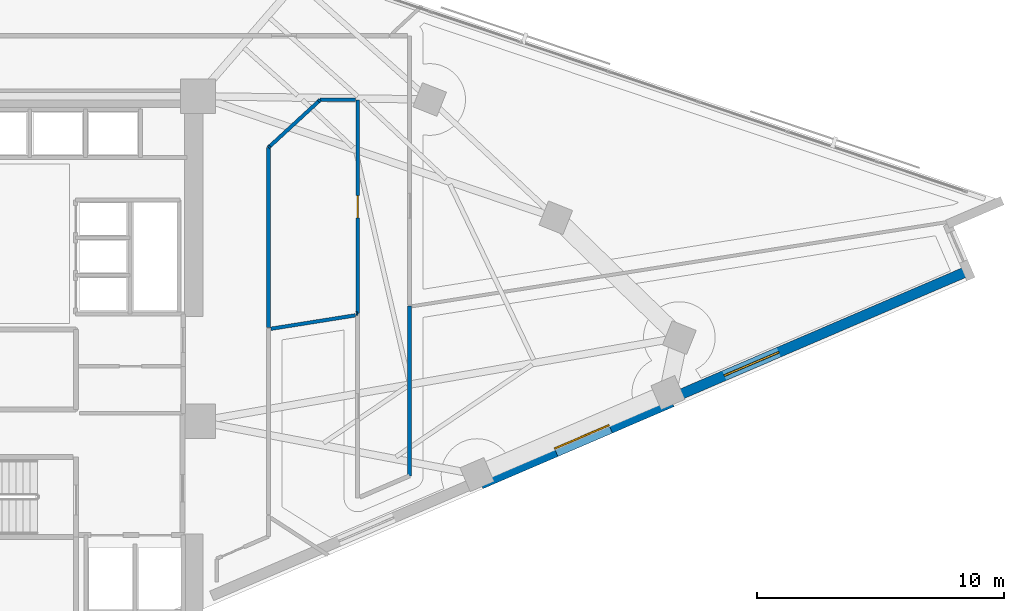
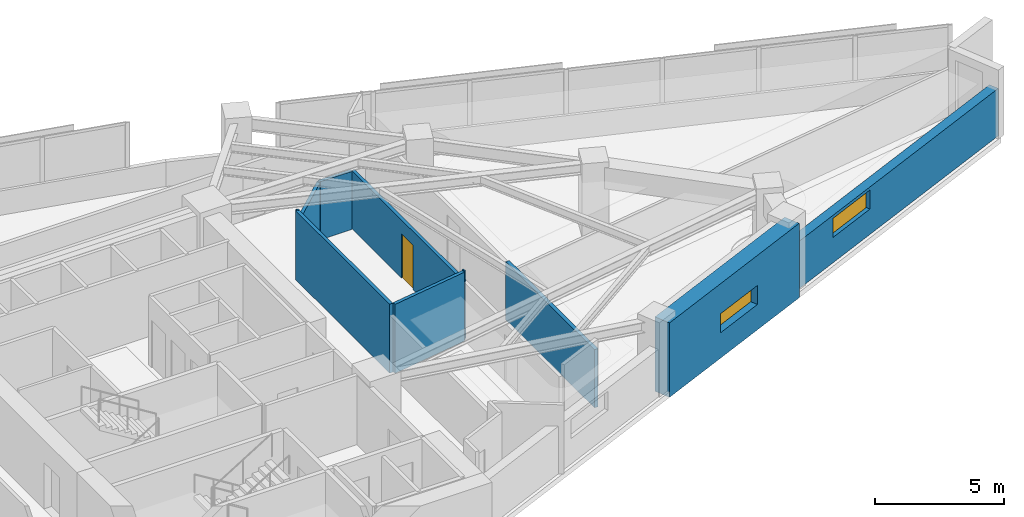
# One storey, part 11 of 14: 11 walls, 2 windows, 1 door, 3 openings.
"""IFC4 building model written with IfcOpenShell, lengths in metres."""

from ifc_helpers import new_model, si_unit, direction, frame, frame_2d, origin, place, context, subcontext, project, spatial, rectangle, extrude, material, layer, layer_set, type_object, element, fill, save


model = new_model("IFC4")

# Units and contexts
model_context = context("Model", 3, precision=1e-05, world=origin(), true_north=direction((0.0, 1.0)))
body_context = subcontext(model_context, "Body", "Model", "MODEL_VIEW")
ifc_project = project(units=[si_unit("LENGTHUNIT", "METRE"), si_unit("AREAUNIT", "SQUARE_METRE"), si_unit("VOLUMEUNIT", "CUBIC_METRE"), si_unit("PLANEANGLEUNIT", "RADIAN"), si_unit("MASSUNIT", "GRAM", prefix="KILO")], contexts=[model_context])

# Site, building, storey
site_placement = place(None, origin())
site = spatial("IfcSite", under=ifc_project, at=site_placement, CompositionType="ELEMENT")
building_placement = place(site_placement, origin())
building = spatial("IfcBuilding", under=site, at=building_placement, Name="Narakoshi Arena Tower", CompositionType="ELEMENT")
storey_placement = place(building_placement, frame((0.0, 0.0, 179.10009765625)))
storey = spatial("IfcBuildingStorey", under=building, at=storey_placement, Name="L48", CompositionType="ELEMENT", Elevation=179.10009765625)

# Wall
ifc_material_1 = material(Name="Gypsum plasterboard fire-rated partition")
ifc_layer_1 = layer(ifc_material_1, 0.1650390625)
ifc_layer_set_1 = layer_set([ifc_layer_1], Name="Gypsum plasterboard fire-rated partition")
wall_type_1 = type_object("IfcWallType", Name="WL-CORR-165", PredefinedType="PARTITIONING", material=ifc_layer_set_1)
wall_1_placement = place(storey_placement, frame((94.10498046875, 41.150390625, 0.0), z_axis=(0.0, 0.0, 1.0), x_axis=(0.0, 1.0, 0.0)))
element("IfcWall", 1, at=wall_1_placement, inside=storey, type_object=wall_type_1, Name="L48 Corridor Partition 03-3", PredefinedType="PARTITIONING", context=body_context, shape_type="SweptSolid", body=[
    extrude(rectangle(XDim=6.875244140625, YDim=0.1650390625, at=frame_2d((3.4375, 0.0))), origin(), (0.0, 0.0, 1.0), 2.744873046875),
])

# Wall, opening, window
ifc_material_2 = material(Name="Concrete C60/75", Category="concrete")
ifc_layer_2 = layer(ifc_material_2, 0.699951171875)
ifc_layer_set_2 = layer_set([ifc_layer_2], Name="Concrete C60/75")
wall_type_2 = type_object("IfcWallType", Name="WL-LEG-700", PredefinedType="SHEAR", material=ifc_layer_set_2)
wall_2_placement = place(storey_placement, frame((96.936767578125, 40.951904296875, -0.260009765625), z_axis=(0.0, 0.0, 1.0), x_axis=(0.918782407933, 0.394764343468, 0.0)))
wall_2 = element("IfcWall", 2, at=wall_2_placement, inside=storey, type_object=wall_type_2, Name="L48 Architectural Concrete Structural Wall LEGA-3", PredefinedType="SHEAR", context=body_context, shape_type="SweptSolid", body=[
    extrude(rectangle(XDim=8.401611328125, YDim=0.699951171875, at=frame_2d((4.20068359375, 0.0))), origin(), (0.0, 0.0, 1.0), 3.52001953125),
])
opening_1_placement = place(wall_2_placement, frame((3.2939453125, 0.0, 1.199951171875)))
opening_1 = element("IfcOpeningElement", 3, at=opening_1_placement, cuts=wall_2, Name="Opening WN-01", PredefinedType="OPENING", context=body_context, shape_type="SweptSolid", body=[
    extrude(rectangle(XDim=2.39990234375, YDim=0.89990234375, at=frame_2d((1.199951171875, 0.449951171875))), frame((0.0, 0.35986328125, 0.0), z_axis=(0.0, -1.0, 0.0), x_axis=(1.0, 0.0, 0.0)), (0.0, 0.0, 1.0), 0.719970703125),
])
ifc_material_3 = material(Name="Bronze-tinted low-E laminated glass", Category="glass")
window_type = type_object("IfcWindowType", Name="WIN-SLT-24x09", PartitioningType="SINGLE_PANEL", PredefinedType="WINDOW", material=ifc_material_3)
window_1_placement = place(opening_1_placement, origin())
window_1 = element("IfcWindow", 4, at=window_1_placement, inside=storey, type_object=window_type, Name="L48 LEGA3 Horizontal Slot Window 1", OverallHeight=0.89990234375, OverallWidth=2.39990234375, PartitioningType="SINGLE_PANEL", PredefinedType="WINDOW", context=body_context, shape_type="SweptSolid", body=[
    extrude(rectangle(XDim=2.39990234375, YDim=0.89990234375, at=frame_2d((1.199951171875, 0.449951171875))), frame((0.0, 0.030029296875, 0.0), z_axis=(0.0, -1.0, 0.0), x_axis=(1.0, 0.0, 0.0)), (0.0, 0.0, 1.0), 0.06005859375),
])
fill(opening_1, window_1)

ifc_material_4 = material(Name="Precast concrete C45/55", Category="concrete")
ifc_layer_3 = layer(ifc_material_4, 0.419921875)
ifc_layer_set_3 = layer_set([ifc_layer_3], Name="Precast concrete C45/55")
wall_type_3 = type_object("IfcWallType", Name="WL-POD-420", PredefinedType="SOLIDWALL", material=ifc_layer_set_3)
wall_3_placement = place(storey_placement, frame((104.656005859375, 44.2685546875, 0.0), z_axis=(0.0, 0.0, 1.0), x_axis=(0.918789071809, 0.394748833467, 0.0)))
wall_3 = element("IfcWall", 5, at=wall_3_placement, inside=storey, type_object=wall_type_3, Name="L48 Architectural Concrete Facade Wall LEGA-4", PredefinedType="SOLIDWALL", context=body_context, shape_type="SweptSolid", body=[
    extrude(rectangle(XDim=13.06884765625, YDim=0.419921875, at=frame_2d((6.534423828125, 0.0))), origin(), (0.0, 0.0, 1.0), 2.244873046875),
])
opening_2_placement = place(wall_3_placement, frame((2.362060546875, 0.0, 1.199951171875)))
opening_2 = element("IfcOpeningElement", 6, at=opening_2_placement, cuts=wall_3, Name="Opening WN-01", PredefinedType="OPENING", context=body_context, shape_type="SweptSolid", body=[
    extrude(rectangle(XDim=2.39990234375, YDim=0.89990234375, at=frame_2d((1.199951171875, 0.449951171875))), frame((0.0, 0.219970703125, 0.0), z_axis=(0.0, -1.0, 0.0), x_axis=(1.0, 0.0, 0.0)), (0.0, 0.0, 1.0), 0.43994140625),
])
window_2_placement = place(opening_2_placement, origin())
window_2 = element("IfcWindow", 7, at=window_2_placement, inside=storey, type_object=window_type, Name="L48 LEGA4 Horizontal Slot Window 1", OverallHeight=0.89990234375, OverallWidth=2.39990234375, PartitioningType="SINGLE_PANEL", PredefinedType="WINDOW", context=body_context, shape_type="SweptSolid", body=[
    extrude(rectangle(XDim=2.39990234375, YDim=0.89990234375, at=frame_2d((1.199951171875, 0.449951171875))), frame((0.0, 0.030029296875, 0.0), z_axis=(0.0, -1.0, 0.0), x_axis=(1.0, 0.0, 0.0)), (0.0, 0.0, 1.0), 0.06005859375),
])
fill(opening_2, window_2)

# Wall
ifc_material_5 = material(Name="Moisture-resistant cement-board partition")
ifc_layer_4 = layer(ifc_material_5, 0.14501953125)
ifc_layer_set_4 = layer_set([ifc_layer_4], Name="Moisture-resistant cement-board partition")
wall_type_4 = type_object("IfcWallType", Name="WL-WET-145", PredefinedType="PARTITIONING", material=ifc_layer_set_4)
wall_4_placement = place(storey_placement, frame((88.494384765625, 47.09619140625, 0.0), z_axis=(0.0, 0.0, 1.0), x_axis=(0.987580306335, 0.157115048735, 0.0)))
element("IfcWall", 8, at=wall_4_placement, inside=storey, type_object=wall_type_4, Name="L48 Inter-Room Partition 03-05", PredefinedType="PARTITIONING", context=body_context, shape_type="SweptSolid", body=[
    extrude(rectangle(XDim=3.458984375, YDim=0.14501953125, at=frame_2d((1.7294921875, 0.0))), origin(), (0.0, 0.0, 1.0), 3.260009765625),
])

# Wall, opening, door
wall_5_placement = place(storey_placement, frame((92.0048828125, 56.35009765625, 0.0), z_axis=(0.0, 0.0, 1.0), x_axis=(0.0, -1.0, 0.0)))
wall_5 = element("IfcWall", 9, at=wall_5_placement, inside=storey, type_object=wall_type_4, Name="L48 Corridor Partition 05-1", PredefinedType="PARTITIONING", context=body_context, shape_type="SweptSolid", body=[
    extrude(rectangle(XDim=8.634765625, YDim=0.14501953125, at=frame_2d((4.3173828125, 0.0))), origin(), (0.0, 0.0, 1.0), 2.744873046875),
])
opening_3_placement = place(wall_5_placement, frame((3.8671875, 0.0, 0.0)))
opening_3 = element("IfcOpeningElement", 10, at=opening_3_placement, cuts=wall_5, Name="Opening D-08", PredefinedType="OPENING", context=body_context, shape_type="SweptSolid", body=[
    extrude(rectangle(XDim=0.89990234375, YDim=2.10009765625, at=frame_2d((0.449951171875, 1.050048828125))), frame((0.0, 0.08251953125, 0.0), z_axis=(0.0, -1.0, 0.0), x_axis=(1.0, 0.0, 0.0)), (0.0, 0.0, 1.0), 0.1650390625),
])
ifc_material_6 = material(Name="Moisture-resistant laminate timber", Category="wood")
door_type = type_object("IfcDoorType", Name="DR-WC-900", OperationType="NOTDEFINED", PredefinedType="DOOR", material=ifc_material_6)
door_placement = place(opening_3_placement, frame((0.89990234375, 0.0, 0.0), z_axis=(0.0, 0.0, 1.0), x_axis=(-1.0, 0.0, 0.0)))
door = element("IfcDoor", 11, at=door_placement, inside=storey, type_object=door_type, Name="DR-L48-018", OperationType="SINGLE_SWING_RIGHT", OverallHeight=2.10009765625, OverallWidth=0.89990234375, PredefinedType="DOOR", context=body_context, shape_type="SweptSolid", body=[
    extrude(rectangle(XDim=0.89990234375, YDim=2.10009765625, at=frame_2d((0.449951171875, 1.050048828125))), frame((0.0, 0.02490234375, 0.0), z_axis=(0.0, -1.0, 0.0), x_axis=(1.0, 0.0, 0.0)), (0.0, 0.0, 1.0), 0.050048828125),
])
fill(opening_3, door)

# Walls
wall_6_placement = place(storey_placement, frame((88.39990234375, 47.14111328125, 0.0), z_axis=(0.0, 0.0, 1.0), x_axis=(0.0, 1.0, 0.0)))
element("IfcWall", 12, at=wall_6_placement, inside=storey, type_object=wall_type_4, Name="L48 Corridor Partition 05-2", PredefinedType="PARTITIONING", context=body_context, shape_type="SweptSolid", body=[
    extrude(rectangle(XDim=7.28564453125, YDim=0.14501953125, at=frame_2d((3.642822265625, 0.0))), origin(), (0.0, 0.0, 1.0), 3.260009765625),
])
wall_7_placement = place(storey_placement, frame((90.48779296875, 56.35009765625, 0.0), z_axis=(0.0, 0.0, 1.0), x_axis=(1.0, 0.0, 0.0)))
element("IfcWall", 13, at=wall_7_placement, inside=storey, type_object=wall_type_4, Name="L48 Corridor Partition 05-3", PredefinedType="PARTITIONING", context=body_context, shape_type="SweptSolid", body=[
    extrude(rectangle(XDim=1.4326171875, YDim=0.14501953125, at=frame_2d((0.71630859375, 0.0))), origin(), (0.0, 0.0, 1.0), 2.744873046875),
])
wall_8_placement = place(storey_placement, frame((90.422607421875, 56.2900390625, 0.0), z_axis=(0.0, 0.0, 1.0), x_axis=(0.735436734306, 0.677593395653, 0.0)))
element("IfcWall", 14, at=wall_8_placement, inside=storey, type_object=wall_type_4, Name="L48 Corridor Partition 05-4", PredefinedType="PARTITIONING", context=body_context, shape_type="SweptSolid", body=[
    extrude(rectangle(XDim=0.088623046875, YDim=0.14501953125, at=frame_2d((0.04443359375, 0.0))), origin(), (0.0, 0.0, 1.0), 2.744873046875),
])
wall_9_placement = place(storey_placement, frame((88.39990234375, 54.4267578125, 0.0), z_axis=(0.0, 0.0, 1.0), x_axis=(0.734917969797, 0.67815601278, 0.0)))
element("IfcWall", 15, at=wall_9_placement, inside=storey, type_object=wall_type_4, Name="L48 Corridor Partition 05-5", PredefinedType="PARTITIONING", context=body_context, shape_type="SweptSolid", body=[
    extrude(rectangle(XDim=0.081787109375, YDim=0.14501953125, at=frame_2d((0.041015625, 0.0))), origin(), (0.0, 0.0, 1.0), 3.260009765625),
])
wall_10_placement = place(storey_placement, frame((92.0048828125, 47.71533203125, 0.0), z_axis=(0.0, 0.0, 1.0), x_axis=(-0.987566087596, -0.157204397617, 0.0)))
element("IfcWall", 16, at=wall_10_placement, inside=storey, type_object=wall_type_4, Name="L48 Corridor Partition 05-6", PredefinedType="PARTITIONING", context=body_context, shape_type="SweptSolid", body=[
    extrude(rectangle(XDim=0.060546875, YDim=0.14501953125, at=frame_2d((0.0302734375, 0.0))), origin(), (0.0, 0.0, 1.0), 3.260009765625),
])
wall_11_placement = place(storey_placement, frame((88.4599609375, 54.482177734375, 0.0), z_axis=(0.0, 0.0, 1.0), x_axis=(0.735515109426, 0.677508320102, 0.0)))
element("IfcWall", 17, at=wall_11_placement, inside=storey, type_object=wall_type_4, Name="L48 Room Enclosure Partition 05-1", PredefinedType="PARTITIONING", context=body_context, shape_type="SweptSolid", body=[
    extrude(rectangle(XDim=2.66845703125, YDim=0.14501953125, at=frame_2d((1.334228515625, 0.0))), origin(), (0.0, 0.0, 1.0), 2.744873046875),
])

save(model, "model.ifc")
